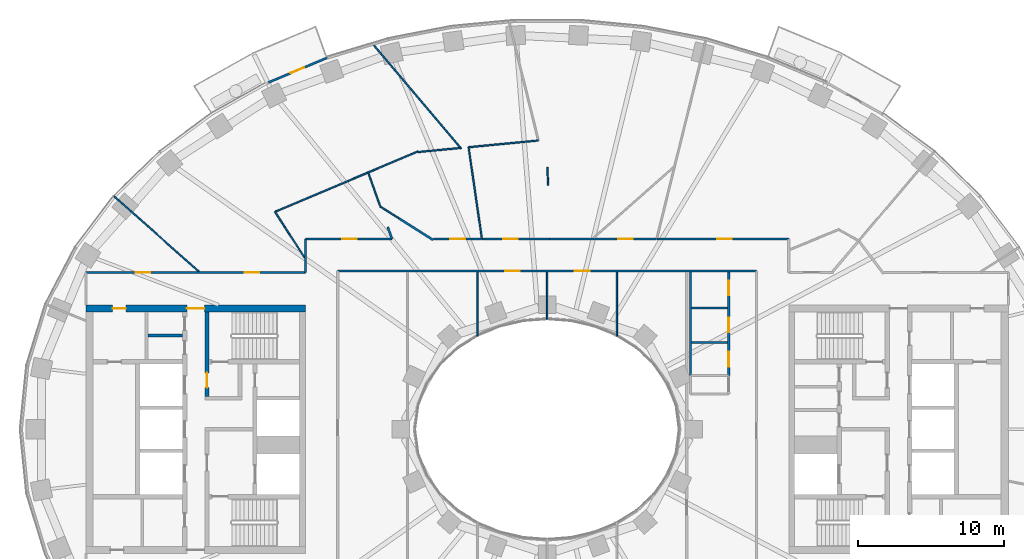
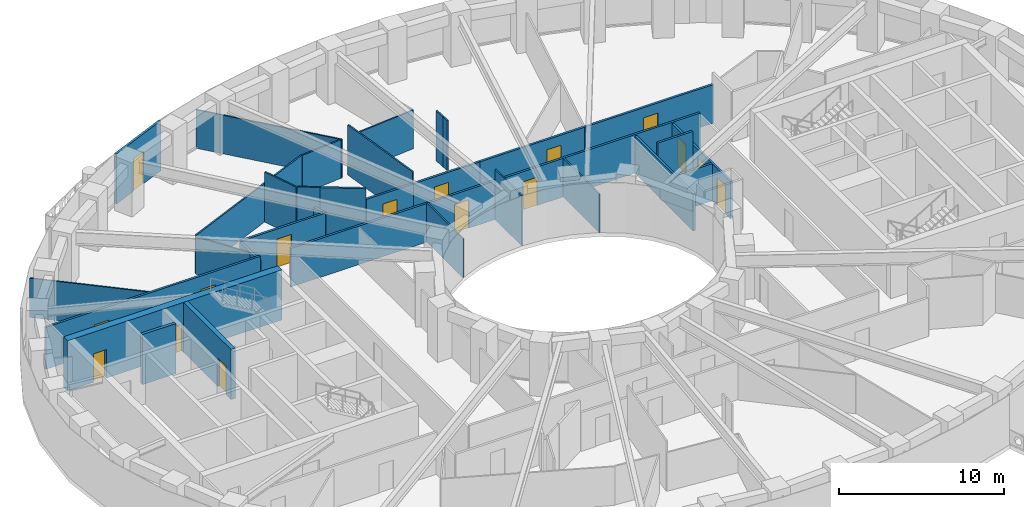
# One storey, part 6 of 15: 32 walls, 16 doors, 16 openings.
"""IFC4 building model written with IfcOpenShell, lengths in metres."""

from ifc_helpers import new_model, si_unit, direction, frame, frame_2d, origin, place, context, subcontext, project, spatial, rectangle, extrude, material, layer, layer_set, type_object, element, fill, save


model = new_model("IFC4")

# Units and contexts
model_context = context("Model", 3, precision=1e-05, world=origin(), true_north=direction((0.0, 1.0)))
body_context = subcontext(model_context, "Body", "Model", "MODEL_VIEW")
ifc_project = project(units=[si_unit("LENGTHUNIT", "METRE"), si_unit("AREAUNIT", "SQUARE_METRE"), si_unit("VOLUMEUNIT", "CUBIC_METRE"), si_unit("PLANEANGLEUNIT", "RADIAN"), si_unit("MASSUNIT", "GRAM", prefix="KILO")], contexts=[model_context])

# Site, building, storey
site_placement = place(None, origin())
site = spatial("IfcSite", under=ifc_project, at=site_placement, CompositionType="ELEMENT")
building_placement = place(site_placement, origin())
building = spatial("IfcBuilding", under=site, at=building_placement, Name="Noorbagh Ring Tower", CompositionType="ELEMENT")
storey_placement = place(building_placement, frame((0.0, 0.0, 92.0)))
storey = spatial("IfcBuildingStorey", under=building, at=storey_placement, Name="L20", CompositionType="ELEMENT", Elevation=92.0)

# Wall
ifc_material_1 = material(Name="Gypsum board on steel studs", Category="steel")
ifc_layer_1 = layer(ifc_material_1, 0.199951171875)
ifc_layer_set_1 = layer_set([ifc_layer_1], Name="Gypsum board on steel studs")
wall_type_1 = type_object("IfcWallType", Name="CORE-PARTITION-200", PredefinedType="PARTITIONING", material=ifc_layer_set_1)
wall_1_placement = place(storey_placement, frame((-24.89990234375, 6.39990234375, 0.0), z_axis=(0.0, 0.0, 1.0), x_axis=(-1.0, 0.0, 0.0)))
element("IfcWall", 1, at=wall_1_placement, inside=storey, type_object=wall_type_1, Name="Core partition W", PredefinedType="PARTITIONING", context=body_context, shape_type="SweptSolid", body=[
    extrude(rectangle(XDim=2.35009765625, YDim=0.199951171875, at=frame_2d((1.175048828125, 0.0))), origin(), (0.0, 0.0, 1.0), 3.699951171875),
])

# Wall, opening, door
ifc_material_2 = material(Name="Concrete C70/85", Category="concrete")
ifc_layer_2 = layer(ifc_material_2, 0.300048828125)
ifc_layer_set_2 = layer_set([ifc_layer_2], Name="Concrete C70/85")
wall_type_2 = type_object("IfcWallType", Name="CORE-WALL-300-C70-85-EI240", PredefinedType="SHEAR", material=ifc_layer_set_2)
wall_2_placement = place(storey_placement, frame((-23.22998046875, 2.25, 0.0), z_axis=(0.0, 0.0, 1.0), x_axis=(0.0, 1.0, 0.0)))
wall_2 = element("IfcWall", 2, at=wall_2_placement, inside=storey, type_object=wall_type_2, Name="Core wall W", PredefinedType="SHEAR", context=body_context, shape_type="SweptSolid", body=[
    extrude(rectangle(XDim=5.75, YDim=0.300048828125, at=frame_2d((2.875, 0.0))), origin(), (0.0, 0.0, 1.0), 3.699951171875),
])
opening_1_placement = place(wall_2_placement, frame((0.60009765625, 0.0, 0.0)))
opening_1 = element("IfcOpeningElement", 3, at=opening_1_placement, cuts=wall_2, Name="Opening L20-CW08", PredefinedType="OPENING", context=body_context, shape_type="SweptSolid", body=[
    extrude(rectangle(XDim=1.0, YDim=2.10009765625, at=frame_2d((0.5, 1.050048828125))), frame((0.0, 0.16015625, 0.0), z_axis=(0.0, -1.0, 0.0), x_axis=(1.0, 0.0, 0.0)), (0.0, 0.0, 1.0), 0.320068359375),
])
ifc_material_3 = material(Name="Steel door leaf", Category="steel")
door_type_1 = type_object("IfcDoorType", Name="CORE-DOOR-DVEST", OperationType="SINGLE_SWING_LEFT", PredefinedType="DOOR", material=ifc_material_3)
door_1_placement = place(opening_1_placement, origin())
door_1 = element("IfcDoor", 4, at=door_1_placement, inside=storey, type_object=door_type_1, Name="Stair vestibule door L20-CW08", OperationType="SINGLE_SWING_LEFT", OverallHeight=2.10009765625, OverallWidth=1.0, PredefinedType="DOOR", context=body_context, shape_type="SweptSolid", body=[
    extrude(rectangle(XDim=1.0, YDim=2.10009765625, at=frame_2d((0.5, 1.050048828125))), frame((0.0, 0.02490234375, 0.0), z_axis=(0.0, -1.0, 0.0), x_axis=(1.0, 0.0, 0.0)), (0.0, 0.0, 1.0), 0.050048828125),
])
fill(opening_1, door_1)

# Wall, openings, doors
ifc_material_4 = material(Name="Concrete C70/85", Category="concrete")
ifc_layer_3 = layer(ifc_material_4, 0.5)
ifc_layer_set_3 = layer_set([ifc_layer_3], Name="Concrete C70/85")
wall_type_3 = type_object("IfcWallType", Name="CORE-WALL-500-C70-85-EI240", PredefinedType="SHEAR", material=ifc_layer_set_3)
wall_3_placement = place(storey_placement, frame((-16.5, 8.25, 0.0), z_axis=(0.0, 0.0, 1.0), x_axis=(-1.0, 0.0, 0.0)))
wall_3 = element("IfcWall", 5, at=wall_3_placement, inside=storey, type_object=wall_type_3, Name="Core wall W", PredefinedType="SHEAR", context=body_context, shape_type="SweptSolid", body=[
    extrude(rectangle(XDim=15.0, YDim=0.5, at=frame_2d((7.5, 0.0))), origin(), (0.0, 0.0, 1.0), 3.699951171875),
])
opening_2_placement = place(wall_3_placement, frame((6.89990234375, 0.0, 0.0)))
opening_2 = element("IfcOpeningElement", 6, at=opening_2_placement, cuts=wall_3, Name="Opening L20-CW09", PredefinedType="OPENING", context=body_context, shape_type="SweptSolid", body=[
    extrude(rectangle(XDim=1.199951171875, YDim=2.10009765625, at=frame_2d((0.60009765625, 1.050048828125))), frame((0.0, 0.260009765625, 0.0), z_axis=(0.0, -1.0, 0.0), x_axis=(1.0, 0.0, 0.0)), (0.0, 0.0, 1.0), 0.52001953125),
])
opening_3_placement = place(wall_3_placement, frame((12.27490234375, 0.0, 0.0)))
opening_3 = element("IfcOpeningElement", 7, at=opening_3_placement, cuts=wall_3, Name="Opening L20-CW14", PredefinedType="OPENING", context=body_context, shape_type="SweptSolid", body=[
    extrude(rectangle(XDim=0.89990234375, YDim=2.10009765625, at=frame_2d((0.449951171875, 1.050048828125))), frame((0.0, 0.260009765625, 0.0), z_axis=(0.0, -1.0, 0.0), x_axis=(1.0, 0.0, 0.0)), (0.0, 0.0, 1.0), 0.52001953125),
])
ifc_material_5 = material(Name="Steel door leaf", Category="steel")
door_type_2 = type_object("IfcDoorType", Name="CORE-DOOR-DROOM", OperationType="SINGLE_SWING_LEFT", PredefinedType="DOOR", material=ifc_material_5)
door_2_placement = place(opening_3_placement, origin())
door_2 = element("IfcDoor", 8, at=door_2_placement, inside=storey, type_object=door_type_2, Name="Core room door L20-CW14", OperationType="SINGLE_SWING_RIGHT", OverallHeight=2.10009765625, OverallWidth=0.89990234375, PredefinedType="DOOR", context=body_context, shape_type="SweptSolid", body=[
    extrude(rectangle(XDim=0.89990234375, YDim=2.10009765625, at=frame_2d((0.449951171875, 1.050048828125))), frame((0.0, 0.02490234375, 0.0), z_axis=(0.0, -1.0, 0.0), x_axis=(1.0, 0.0, 0.0)), (0.0, 0.0, 1.0), 0.050048828125),
])
fill(opening_3, door_2)
ifc_material_6 = material(Name="Steel door leaf", Category="steel")
door_type_3 = type_object("IfcDoorType", Name="CORE-DOOR-PORT", OperationType="DOUBLE_DOOR_DOUBLE_SWING", PredefinedType="DOOR", material=ifc_material_6)
door_3_placement = place(opening_2_placement, origin())
door_3 = element("IfcDoor", 9, at=door_3_placement, inside=storey, type_object=door_type_3, Name="Core entrance door L20-CW09", OperationType="DOUBLE_DOOR_DOUBLE_SWING", OverallHeight=2.10009765625, OverallWidth=1.199951171875, PredefinedType="DOOR", context=body_context, shape_type="SweptSolid", body=[
    extrude(rectangle(XDim=1.199951171875, YDim=2.10009765625, at=frame_2d((0.60009765625, 1.050048828125))), frame((0.0, 0.02490234375, 0.0), z_axis=(0.0, -1.0, 0.0), x_axis=(1.0, 0.0, 0.0)), (0.0, 0.0, 1.0), 0.050048828125),
])
fill(opening_2, door_3)

ifc_material_7 = material(Name="Gypsum board on steel studs", Category="steel")
ifc_layer_4 = layer(ifc_material_7, 0.14990234375)
ifc_layer_set_4 = layer_set([ifc_layer_4], Name="Gypsum board on steel studs")
wall_type_4 = type_object("IfcWallType", Name="CORRIDOR PARTITION 150 EI 30", PredefinedType="PARTITIONING", material=ifc_layer_set_4)
wall_4_placement = place(storey_placement, frame((-31.5, 10.699951171875, 0.0), z_axis=(0.0, 0.0, 1.0), x_axis=(1.0, 0.0, 0.0)))
wall_4 = element("IfcWall", 10, at=wall_4_placement, inside=storey, type_object=wall_type_4, Name="L20/wall/P05", PredefinedType="PARTITIONING", context=body_context, shape_type="SweptSolid", body=[
    extrude(rectangle(XDim=15.0, YDim=0.14990234375, at=frame_2d((7.5, 0.0))), origin(), (0.0, 0.0, 1.0), 3.10009765625),
])
opening_4_placement = place(wall_4_placement, frame((3.403076171875, 0.0, 0.0)))
opening_4 = element("IfcOpeningElement", 11, at=opening_4_placement, cuts=wall_4, Name="Opening D1", PredefinedType="OPENING", context=body_context, shape_type="SweptSolid", body=[
    extrude(rectangle(XDim=1.0, YDim=2.10009765625, at=frame_2d((0.5, 1.050048828125))), frame((0.0, 0.0849609375, 0.0), z_axis=(0.0, -1.0, 0.0), x_axis=(1.0, 0.0, 0.0)), (0.0, 0.0, 1.0), 0.169921875),
])
opening_5_placement = place(wall_4_placement, frame((10.85009765625, 0.0, 0.0)))
opening_5 = element("IfcOpeningElement", 12, at=opening_5_placement, cuts=wall_4, Name="Opening D1", PredefinedType="OPENING", context=body_context, shape_type="SweptSolid", body=[
    extrude(rectangle(XDim=1.0, YDim=2.10009765625, at=frame_2d((0.5, 1.050048828125))), frame((0.0, 0.0849609375, 0.0), z_axis=(0.0, -1.0, 0.0), x_axis=(1.0, 0.0, 0.0)), (0.0, 0.0, 1.0), 0.169921875),
])
ifc_material_8 = material(Name="Timber, painted", Category="wood")
door_type_4 = type_object("IfcDoorType", Name="DOOR 1000 X 2100 FD30", OperationType="SINGLE_SWING_LEFT", PredefinedType="DOOR", material=ifc_material_8)
door_4_placement = place(opening_4_placement, origin())
door_4 = element("IfcDoor", 13, at=door_4_placement, inside=storey, type_object=door_type_4, Name="L20-D07", OperationType="SINGLE_SWING_LEFT", OverallHeight=2.10009765625, OverallWidth=1.0, PredefinedType="DOOR", context=body_context, shape_type="SweptSolid", body=[
    extrude(rectangle(XDim=1.0, YDim=2.10009765625, at=frame_2d((0.5, 1.050048828125))), frame((0.0, 0.02490234375, 0.0), z_axis=(0.0, -1.0, 0.0), x_axis=(1.0, 0.0, 0.0)), (0.0, 0.0, 1.0), 0.050048828125),
])
fill(opening_4, door_4)
door_5_placement = place(opening_5_placement, origin())
door_5 = element("IfcDoor", 14, at=door_5_placement, inside=storey, type_object=door_type_4, Name="L20-D09", OperationType="SINGLE_SWING_LEFT", OverallHeight=2.10009765625, OverallWidth=1.0, PredefinedType="DOOR", context=body_context, shape_type="SweptSolid", body=[
    extrude(rectangle(XDim=1.0, YDim=2.10009765625, at=frame_2d((0.5, 1.050048828125))), frame((0.0, 0.02490234375, 0.0), z_axis=(0.0, -1.0, 0.0), x_axis=(1.0, 0.0, 0.0)), (0.0, 0.0, 1.0), 0.050048828125),
])
fill(opening_5, door_5)

# Wall
wall_5_placement = place(storey_placement, frame((-16.5, 10.699951171875, 0.0), z_axis=(0.0, 0.0, 1.0), x_axis=(0.0, 1.0, 0.0)))
element("IfcWall", 15, at=wall_5_placement, inside=storey, type_object=wall_type_4, Name="L20/wall/P14", PredefinedType="PARTITIONING", context=body_context, shape_type="SweptSolid", body=[
    extrude(rectangle(XDim=2.300048828125, YDim=0.14990234375, at=frame_2d((1.14990234375, 0.0))), origin(), (0.0, 0.0, 1.0), 2.75),
])

# Wall, opening, door
wall_6_placement = place(storey_placement, frame((-16.5, 13.0, 0.0), z_axis=(0.0, 0.0, 1.0), x_axis=(1.0, 0.0, 0.0)))
wall_6 = element("IfcWall", 16, at=wall_6_placement, inside=storey, type_object=wall_type_4, Name="L20/wall/P15", PredefinedType="PARTITIONING", context=body_context, shape_type="SweptSolid", body=[
    extrude(rectangle(XDim=5.89306640625, YDim=0.14990234375, at=frame_2d((2.946533203125, 0.0))), origin(), (0.0, 0.0, 1.0), 2.85009765625),
])
opening_6_placement = place(wall_6_placement, frame((2.492919921875, 0.0, 0.0)))
opening_6 = element("IfcOpeningElement", 17, at=opening_6_placement, cuts=wall_6, Name="Opening D1", PredefinedType="OPENING", context=body_context, shape_type="SweptSolid", body=[
    extrude(rectangle(XDim=1.0, YDim=2.10009765625, at=frame_2d((0.5, 1.050048828125))), frame((0.0, 0.0849609375, 0.0), z_axis=(0.0, -1.0, 0.0), x_axis=(1.0, 0.0, 0.0)), (0.0, 0.0, 1.0), 0.169921875),
])
door_6_placement = place(opening_6_placement, origin())
door_6 = element("IfcDoor", 18, at=door_6_placement, inside=storey, type_object=door_type_4, Name="L20-D11", OperationType="SINGLE_SWING_LEFT", OverallHeight=2.10009765625, OverallWidth=1.0, PredefinedType="DOOR", context=body_context, shape_type="SweptSolid", body=[
    extrude(rectangle(XDim=1.0, YDim=2.10009765625, at=frame_2d((0.5, 1.050048828125))), frame((0.0, 0.02490234375, 0.0), z_axis=(0.0, -1.0, 0.0), x_axis=(1.0, 0.0, 0.0)), (0.0, 0.0, 1.0), 0.050048828125),
])
fill(opening_6, door_6)

# Wall, openings, doors
wall_7_placement = place(storey_placement, frame((-14.300048828125, 10.800048828125, 0.0), z_axis=(0.0, 0.0, 1.0), x_axis=(1.0, 0.0, 0.0)))
wall_7 = element("IfcWall", 19, at=wall_7_placement, inside=storey, type_object=wall_type_4, Name="L20/wall/P18", PredefinedType="PARTITIONING", context=body_context, shape_type="SweptSolid", body=[
    extrude(rectangle(XDim=28.60009765625, YDim=0.14990234375, at=frame_2d((14.300048828125, 0.0))), origin(), (0.0, 0.0, 1.0), 2.85009765625),
])
opening_7_placement = place(wall_7_placement, frame((11.43310546875, 0.0, 0.0)))
opening_7 = element("IfcOpeningElement", 20, at=opening_7_placement, cuts=wall_7, Name="Opening D1", PredefinedType="OPENING", context=body_context, shape_type="SweptSolid", body=[
    extrude(rectangle(XDim=1.0, YDim=2.10009765625, at=frame_2d((0.5, 1.050048828125))), frame((0.0, 0.0849609375, 0.0), z_axis=(0.0, -1.0, 0.0), x_axis=(1.0, 0.0, 0.0)), (0.0, 0.0, 1.0), 0.169921875),
])
opening_8_placement = place(wall_7_placement, frame((16.199951171875, 0.0, 0.0)))
opening_8 = element("IfcOpeningElement", 21, at=opening_8_placement, cuts=wall_7, Name="Opening D1", PredefinedType="OPENING", context=body_context, shape_type="SweptSolid", body=[
    extrude(rectangle(XDim=1.0, YDim=2.10009765625, at=frame_2d((0.5, 1.050048828125))), frame((0.0, 0.0849609375, 0.0), z_axis=(0.0, -1.0, 0.0), x_axis=(1.0, 0.0, 0.0)), (0.0, 0.0, 1.0), 0.169921875),
])
door_7_placement = place(opening_7_placement, origin())
door_7 = element("IfcDoor", 22, at=door_7_placement, inside=storey, type_object=door_type_4, Name="L20-D29", OperationType="SINGLE_SWING_LEFT", OverallHeight=2.10009765625, OverallWidth=1.0, PredefinedType="DOOR", context=body_context, shape_type="SweptSolid", body=[
    extrude(rectangle(XDim=1.0, YDim=2.10009765625, at=frame_2d((0.5, 1.050048828125))), frame((0.0, 0.02490234375, 0.0), z_axis=(0.0, -1.0, 0.0), x_axis=(1.0, 0.0, 0.0)), (0.0, 0.0, 1.0), 0.050048828125),
])
fill(opening_7, door_7)
door_8_placement = place(opening_8_placement, origin())
door_8 = element("IfcDoor", 23, at=door_8_placement, inside=storey, type_object=door_type_4, Name="L20-D31", OperationType="SINGLE_SWING_LEFT", OverallHeight=2.10009765625, OverallWidth=1.0, PredefinedType="DOOR", context=body_context, shape_type="SweptSolid", body=[
    extrude(rectangle(XDim=1.0, YDim=2.10009765625, at=frame_2d((0.5, 1.050048828125))), frame((0.0, 0.02490234375, 0.0), z_axis=(0.0, -1.0, 0.0), x_axis=(1.0, 0.0, 0.0)), (0.0, 0.0, 1.0), 0.050048828125),
])
fill(opening_8, door_8)

# Walls
wall_8_placement = place(storey_placement, frame((-10.886962890625, 13.81201171875, 0.0), z_axis=(0.0, 0.0, 1.0), x_axis=(0.338378813476, -0.941009977944, 0.0)))
element("IfcWall", 24, at=wall_8_placement, inside=storey, type_object=wall_type_4, Name="L20/wall/P26", PredefinedType="PARTITIONING", context=body_context, shape_type="SweptSolid", body=[
    extrude(rectangle(XDim=0.863037109375, YDim=0.14990234375, at=frame_2d((0.431640625, 0.0))), origin(), (0.0, 0.0, 1.0), 2.85009765625),
])
wall_9_placement = place(storey_placement, frame((-10.136962890625, 14.4130859375, 0.0), z_axis=(0.0, 0.0, 1.0), x_axis=(0.844666662568, -0.535292657475, 0.0)))
element("IfcWall", 25, at=wall_9_placement, inside=storey, type_object=wall_type_4, Name="L20/wall/P28", PredefinedType="PARTITIONING", context=body_context, shape_type="SweptSolid", body=[
    extrude(rectangle(XDim=2.776123046875, YDim=0.14990234375, at=frame_2d((1.38818359375, 0.0))), origin(), (0.0, 0.0, 1.0), 3.699951171875),
])

# Wall, opening, door
wall_10_placement = place(storey_placement, frame((-7.76708984375, 13.0, 0.0), z_axis=(0.0, 0.0, 1.0), x_axis=(1.0, 0.0, 0.0)))
wall_10 = element("IfcWall", 26, at=wall_10_placement, inside=storey, type_object=wall_type_4, Name="L20/wall/P33", PredefinedType="PARTITIONING", context=body_context, shape_type="SweptSolid", body=[
    extrude(rectangle(XDim=3.2880859375, YDim=0.14990234375, at=frame_2d((1.64404296875, 0.0))), origin(), (0.0, 0.0, 1.0), 2.85009765625),
])
opening_9_placement = place(wall_10_placement, frame((1.157958984375, 0.0, 0.0)))
opening_9 = element("IfcOpeningElement", 27, at=opening_9_placement, cuts=wall_10, Name="Opening D1", PredefinedType="OPENING", context=body_context, shape_type="SweptSolid", body=[
    extrude(rectangle(XDim=1.0, YDim=2.10009765625, at=frame_2d((0.5, 1.050048828125))), frame((0.0, 0.0849609375, 0.0), z_axis=(0.0, -1.0, 0.0), x_axis=(1.0, 0.0, 0.0)), (0.0, 0.0, 1.0), 0.169921875),
])
door_9_placement = place(opening_9_placement, origin())
door_9 = element("IfcDoor", 28, at=door_9_placement, inside=storey, type_object=door_type_4, Name="L20-D13", OperationType="SINGLE_SWING_LEFT", OverallHeight=2.10009765625, OverallWidth=1.0, PredefinedType="DOOR", context=body_context, shape_type="SweptSolid", body=[
    extrude(rectangle(XDim=1.0, YDim=2.10009765625, at=frame_2d((0.5, 1.050048828125))), frame((0.0, 0.02490234375, 0.0), z_axis=(0.0, -1.0, 0.0), x_axis=(1.0, 0.0, 0.0)), (0.0, 0.0, 1.0), 0.050048828125),
])
fill(opening_9, door_9)

wall_11_placement = place(storey_placement, frame((-4.458984375, 13.0, 0.0), z_axis=(0.0, 0.0, 1.0), x_axis=(1.0, 0.0, 0.0)))
wall_11 = element("IfcWall", 29, at=wall_11_placement, inside=storey, type_object=wall_type_4, Name="L20/wall/P41", PredefinedType="PARTITIONING", context=body_context, shape_type="SweptSolid", body=[
    extrude(rectangle(XDim=4.6279296875, YDim=0.14990234375, at=frame_2d((2.31396484375, 0.0))), origin(), (0.0, 0.0, 1.0), 2.85009765625),
])
opening_10_placement = place(wall_11_placement, frame((1.447021484375, 0.0, 0.0)))
opening_10 = element("IfcOpeningElement", 30, at=opening_10_placement, cuts=wall_11, Name="Opening D1", PredefinedType="OPENING", context=body_context, shape_type="SweptSolid", body=[
    extrude(rectangle(XDim=1.0, YDim=2.10009765625, at=frame_2d((0.5, 1.050048828125))), frame((0.0, 0.0849609375, 0.0), z_axis=(0.0, -1.0, 0.0), x_axis=(1.0, 0.0, 0.0)), (0.0, 0.0, 1.0), 0.169921875),
])
door_10_placement = place(opening_10_placement, origin())
door_10 = element("IfcDoor", 31, at=door_10_placement, inside=storey, type_object=door_type_4, Name="L20-D15", OperationType="SINGLE_SWING_LEFT", OverallHeight=2.10009765625, OverallWidth=1.0, PredefinedType="DOOR", context=body_context, shape_type="SweptSolid", body=[
    extrude(rectangle(XDim=1.0, YDim=2.10009765625, at=frame_2d((0.5, 1.050048828125))), frame((0.0, 0.02490234375, 0.0), z_axis=(0.0, -1.0, 0.0), x_axis=(1.0, 0.0, 0.0)), (0.0, 0.0, 1.0), 0.050048828125),
])
fill(opening_10, door_10)

wall_12_placement = place(storey_placement, frame((0.1630859375, 13.0, 0.0), z_axis=(0.0, 0.0, 1.0), x_axis=(1.0, 0.0, 0.0)))
wall_12 = element("IfcWall", 32, at=wall_12_placement, inside=storey, type_object=wall_type_4, Name="L20/wall/P51", PredefinedType="PARTITIONING", context=body_context, shape_type="SweptSolid", body=[
    extrude(rectangle(XDim=7.31982421875, YDim=0.14990234375, at=frame_2d((3.659912109375, 0.0))), origin(), (0.0, 0.0, 1.0), 2.85009765625),
])
opening_11_placement = place(wall_12_placement, frame((4.68603515625, 0.0, 0.0)))
opening_11 = element("IfcOpeningElement", 33, at=opening_11_placement, cuts=wall_12, Name="Opening D1", PredefinedType="OPENING", context=body_context, shape_type="SweptSolid", body=[
    extrude(rectangle(XDim=1.0, YDim=2.10009765625, at=frame_2d((0.5, 1.050048828125))), frame((0.0, 0.0849609375, 0.0), z_axis=(0.0, -1.0, 0.0), x_axis=(1.0, 0.0, 0.0)), (0.0, 0.0, 1.0), 0.169921875),
])
door_11_placement = place(opening_11_placement, origin())
door_11 = element("IfcDoor", 34, at=door_11_placement, inside=storey, type_object=door_type_4, Name="L20-D17", OperationType="SINGLE_SWING_LEFT", OverallHeight=2.10009765625, OverallWidth=1.0, PredefinedType="DOOR", context=body_context, shape_type="SweptSolid", body=[
    extrude(rectangle(XDim=1.0, YDim=2.10009765625, at=frame_2d((0.5, 1.050048828125))), frame((0.0, 0.02490234375, 0.0), z_axis=(0.0, -1.0, 0.0), x_axis=(1.0, 0.0, 0.0)), (0.0, 0.0, 1.0), 0.050048828125),
])
fill(opening_11, door_11)

wall_13_placement = place(storey_placement, frame((7.4990234375, 13.0, 0.0), z_axis=(0.0, 0.0, 1.0), x_axis=(1.0, 0.0, 0.0)))
wall_13 = element("IfcWall", 35, at=wall_13_placement, inside=storey, type_object=wall_type_4, Name="L20/wall/P59", PredefinedType="PARTITIONING", context=body_context, shape_type="SweptSolid", body=[
    extrude(rectangle(XDim=9.0009765625, YDim=0.14990234375, at=frame_2d((4.50048828125, 0.0))), origin(), (0.0, 0.0, 1.0), 2.85009765625),
])
opening_12_placement = place(wall_13_placement, frame((4.10107421875, 0.0, 0.0)))
opening_12 = element("IfcOpeningElement", 36, at=opening_12_placement, cuts=wall_13, Name="Opening D1", PredefinedType="OPENING", context=body_context, shape_type="SweptSolid", body=[
    extrude(rectangle(XDim=1.0, YDim=2.10009765625, at=frame_2d((0.5, 1.050048828125))), frame((0.0, 0.0849609375, 0.0), z_axis=(0.0, -1.0, 0.0), x_axis=(1.0, 0.0, 0.0)), (0.0, 0.0, 1.0), 0.169921875),
])
door_12_placement = place(opening_12_placement, origin())
door_12 = element("IfcDoor", 37, at=door_12_placement, inside=storey, type_object=door_type_4, Name="L20-D19", OperationType="SINGLE_SWING_LEFT", OverallHeight=2.10009765625, OverallWidth=1.0, PredefinedType="DOOR", context=body_context, shape_type="SweptSolid", body=[
    extrude(rectangle(XDim=1.0, YDim=2.10009765625, at=frame_2d((0.5, 1.050048828125))), frame((0.0, 0.02490234375, 0.0), z_axis=(0.0, -1.0, 0.0), x_axis=(1.0, 0.0, 0.0)), (0.0, 0.0, 1.0), 0.050048828125),
])
fill(opening_12, door_12)

# Walls
wall_14_placement = place(storey_placement, frame((9.800048828125, 3.659912109375, 0.0), z_axis=(0.0, 0.0, 1.0), x_axis=(0.0, 1.0, 0.0)))
element("IfcWall", 38, at=wall_14_placement, inside=storey, type_object=wall_type_4, Name="L20/wall/P62", PredefinedType="PARTITIONING", context=body_context, shape_type="SweptSolid", body=[
    extrude(rectangle(XDim=7.065185546875, YDim=0.14990234375, at=frame_2d((3.53271484375, 0.0))), origin(), (0.0, 0.0, 1.0), 2.75),
])
wall_15_placement = place(storey_placement, frame((9.875, 5.927978515625, 0.0), z_axis=(0.0, 0.0, 1.0), x_axis=(1.0, 0.0, 0.0)))
element("IfcWall", 39, at=wall_15_placement, inside=storey, type_object=wall_type_4, Name="L20/wall/P64", PredefinedType="PARTITIONING", context=body_context, shape_type="SweptSolid", body=[
    extrude(rectangle(XDim=2.449951171875, YDim=0.14990234375, at=frame_2d((1.22509765625, 0.0))), origin(), (0.0, 0.0, 1.0), 2.75),
])
wall_16_placement = place(storey_placement, frame((9.875, 8.280029296875, 0.0), z_axis=(0.0, 0.0, 1.0), x_axis=(1.0, 0.0, 0.0)))
element("IfcWall", 40, at=wall_16_placement, inside=storey, type_object=wall_type_4, Name="L20/wall/P65", PredefinedType="PARTITIONING", context=body_context, shape_type="SweptSolid", body=[
    extrude(rectangle(XDim=2.449951171875, YDim=0.14990234375, at=frame_2d((1.22509765625, 0.0))), origin(), (0.0, 0.0, 1.0), 3.699951171875),
])

# Wall, openings, doors
wall_17_placement = place(storey_placement, frame((12.39990234375, 3.659912109375, 0.0), z_axis=(0.0, 0.0, 1.0), x_axis=(0.0, 1.0, 0.0)))
wall_17 = element("IfcWall", 41, at=wall_17_placement, inside=storey, type_object=wall_type_4, Name="L20/wall/P68", PredefinedType="PARTITIONING", context=body_context, shape_type="SweptSolid", body=[
    extrude(rectangle(XDim=7.065185546875, YDim=0.14990234375, at=frame_2d((3.53271484375, 0.0))), origin(), (0.0, 0.0, 1.0), 2.75),
])
opening_13_placement = place(wall_17_placement, frame((5.489990234375, 0.0, 0.0)))
opening_13 = element("IfcOpeningElement", 42, at=opening_13_placement, cuts=wall_17, Name="Opening D3", PredefinedType="OPENING", context=body_context, shape_type="SweptSolid", body=[
    extrude(rectangle(XDim=1.0, YDim=2.10009765625, at=frame_2d((0.5, 1.050048828125))), frame((0.0, 0.0849609375, 0.0), z_axis=(0.0, -1.0, 0.0), x_axis=(1.0, 0.0, 0.0)), (0.0, 0.0, 1.0), 0.169921875),
])
opening_14_placement = place(wall_17_placement, frame((2.969970703125, 0.0, 0.0)))
opening_14 = element("IfcOpeningElement", 43, at=opening_14_placement, cuts=wall_17, Name="Opening D3", PredefinedType="OPENING", context=body_context, shape_type="SweptSolid", body=[
    extrude(rectangle(XDim=1.0, YDim=2.10009765625, at=frame_2d((0.5, 1.050048828125))), frame((0.0, 0.0849609375, 0.0), z_axis=(0.0, -1.0, 0.0), x_axis=(1.0, 0.0, 0.0)), (0.0, 0.0, 1.0), 0.169921875),
])
opening_15_placement = place(wall_17_placement, frame((0.617919921875, 0.0, 0.0)))
opening_15 = element("IfcOpeningElement", 44, at=opening_15_placement, cuts=wall_17, Name="Opening D3", PredefinedType="OPENING", context=body_context, shape_type="SweptSolid", body=[
    extrude(rectangle(XDim=1.0, YDim=2.10009765625, at=frame_2d((0.5, 1.050048828125))), frame((0.0, 0.0849609375, 0.0), z_axis=(0.0, -1.0, 0.0), x_axis=(1.0, 0.0, 0.0)), (0.0, 0.0, 1.0), 0.169921875),
])
ifc_material_9 = material(Name="Timber, painted", Category="wood")
door_type_5 = type_object("IfcDoorType", Name="DOOR 1000 X 2100 WC", OperationType="SINGLE_SWING_LEFT", PredefinedType="DOOR", material=ifc_material_9)
door_13_placement = place(opening_13_placement, origin())
door_13 = element("IfcDoor", 45, at=door_13_placement, inside=storey, type_object=door_type_5, Name="L20-D02", OperationType="SINGLE_SWING_RIGHT", OverallHeight=2.10009765625, OverallWidth=1.0, PredefinedType="DOOR", context=body_context, shape_type="SweptSolid", body=[
    extrude(rectangle(XDim=1.0, YDim=2.10009765625, at=frame_2d((0.5, 1.050048828125))), frame((0.0, 0.02490234375, 0.0), z_axis=(0.0, -1.0, 0.0), x_axis=(1.0, 0.0, 0.0)), (0.0, 0.0, 1.0), 0.050048828125),
])
fill(opening_13, door_13)
door_14_placement = place(opening_14_placement, origin())
door_14 = element("IfcDoor", 46, at=door_14_placement, inside=storey, type_object=door_type_5, Name="L20-D03", OperationType="SINGLE_SWING_LEFT", OverallHeight=2.10009765625, OverallWidth=1.0, PredefinedType="DOOR", context=body_context, shape_type="SweptSolid", body=[
    extrude(rectangle(XDim=1.0, YDim=2.10009765625, at=frame_2d((0.5, 1.050048828125))), frame((0.0, 0.02490234375, 0.0), z_axis=(0.0, -1.0, 0.0), x_axis=(1.0, 0.0, 0.0)), (0.0, 0.0, 1.0), 0.050048828125),
])
fill(opening_14, door_14)
door_15_placement = place(opening_15_placement, origin())
door_15 = element("IfcDoor", 47, at=door_15_placement, inside=storey, type_object=door_type_5, Name="L20-D04", OperationType="SINGLE_SWING_RIGHT", OverallHeight=2.10009765625, OverallWidth=1.0, PredefinedType="DOOR", context=body_context, shape_type="SweptSolid", body=[
    extrude(rectangle(XDim=1.0, YDim=2.10009765625, at=frame_2d((0.5, 1.050048828125))), frame((0.0, 0.02490234375, 0.0), z_axis=(0.0, -1.0, 0.0), x_axis=(1.0, 0.0, 0.0)), (0.0, 0.0, 1.0), 0.050048828125),
])
fill(opening_15, door_15)

# Wall, opening, door
ifc_material_10 = material(Name="Insulated aluminium clad panel", Category="aluminium")
ifc_layer_5 = layer(ifc_material_10, 0.14990234375)
ifc_layer_set_5 = layer_set([ifc_layer_5], Name="Insulated aluminium clad panel")
wall_type_5 = type_object("IfcWallType", Name="ENV-WALL-DOOR", PredefinedType="STANDARD", material=ifc_layer_set_5)
wall_18_placement = place(storey_placement, frame((-15.017822265625, 25.368896484375, 0.0), z_axis=(0.0, 0.0, 1.0), x_axis=(-0.921816985161, -0.387625393736, 0.0)))
wall_18 = element("IfcWall", 48, at=wall_18_placement, inside=storey, type_object=wall_type_5, Name="Balcony door wall chord 16", PredefinedType="STANDARD", context=body_context, shape_type="SweptSolid", body=[
    extrude(rectangle(XDim=4.42578125, YDim=0.14990234375, at=frame_2d((2.212890625, 0.0))), origin(), (0.0, 0.0, 1.0), 3.699951171875),
])
opening_16_placement = place(wall_18_placement, frame((1.712890625, 0.0, 0.0)))
opening_16 = element("IfcOpeningElement", 49, at=opening_16_placement, cuts=wall_18, Name="Opening D-BL", PredefinedType="OPENING", context=body_context, shape_type="SweptSolid", body=[
    extrude(rectangle(XDim=1.0, YDim=2.39990234375, at=frame_2d((0.5, 1.199951171875))), frame((0.0, 0.0849609375, 0.0), z_axis=(0.0, -1.0, 0.0), x_axis=(1.0, 0.0, 0.0)), (0.0, 0.0, 1.0), 0.169921875),
])
ifc_material_11 = material(Name="Aluminium and glass", Category="aluminium")
door_type_6 = type_object("IfcDoorType", Name="ENV-DOOR-BALCONY", OperationType="SINGLE_SWING_LEFT", PredefinedType="DOOR", material=ifc_material_11)
door_16_placement = place(opening_16_placement, origin())
door_16 = element("IfcDoor", 50, at=door_16_placement, inside=storey, type_object=door_type_6, Name="Balcony door chord 16", OperationType="SINGLE_SWING_LEFT", OverallHeight=2.39990234375, OverallWidth=1.0, PredefinedType="DOOR", context=body_context, shape_type="SweptSolid", body=[
    extrude(rectangle(XDim=1.0, YDim=2.39990234375, at=frame_2d((0.5, 1.199951171875))), frame((0.0, 0.02490234375, 0.0), z_axis=(0.0, -1.0, 0.0), x_axis=(1.0, 0.0, 0.0)), (0.0, 0.0, 1.0), 0.050048828125),
])
fill(opening_16, door_16)

# Walls
ifc_material_12 = material(Name="Gypsum board on steel studs", Category="steel")
ifc_layer_6 = layer(ifc_material_12, 0.10009765625)
ifc_layer_set_6 = layer_set([ifc_layer_6], Name="Gypsum board on steel studs")
wall_type_6 = type_object("IfcWallType", Name="PARTITION 100 GYPSUM", PredefinedType="PARTITIONING", material=ifc_layer_set_6)
wall_19_placement = place(storey_placement, frame((-29.569091796875, 15.89501953125, 0.0), z_axis=(0.0, 0.0, 1.0), x_axis=(0.748985701008, -0.662586160198, 0.0)))
element("IfcWall", 51, at=wall_19_placement, inside=storey, type_object=wall_type_6, Name="L20/wall/P07", PredefinedType="PARTITIONING", context=body_context, shape_type="SweptSolid", body=[
    extrude(rectangle(XDim=7.72265625, YDim=0.10009765625, at=frame_2d((3.861328125, 0.0))), origin(), (0.0, 0.0, 1.0), 2.89990234375),
])
wall_20_placement = place(storey_placement, frame((-18.5859375, 14.84912109375, 0.0), z_axis=(0.0, 0.0, 1.0), x_axis=(0.542227325377, -0.840231829684, 0.0)))
element("IfcWall", 52, at=wall_20_placement, inside=storey, type_object=wall_type_6, Name="L20/wall/P10", PredefinedType="PARTITIONING", context=body_context, shape_type="SweptSolid", body=[
    extrude(rectangle(XDim=3.708740234375, YDim=0.10009765625, at=frame_2d((1.8544921875, 0.0))), origin(), (0.0, 0.0, 1.0), 2.75),
])
wall_21_placement = place(storey_placement, frame((-18.5859375, 14.84912109375, 0.0), z_axis=(0.0, 0.0, 1.0), x_axis=(0.921309292198, 0.388830539066, 0.0)))
element("IfcWall", 53, at=wall_21_placement, inside=storey, type_object=wall_type_6, Name="L20/wall/P11", PredefinedType="PARTITIONING", context=body_context, shape_type="SweptSolid", body=[
    extrude(rectangle(XDim=10.608642578125, YDim=0.10009765625, at=frame_2d((5.30419921875, 0.0))), origin(), (0.0, 0.0, 1.0), 2.85009765625),
])
wall_22_placement = place(storey_placement, frame((-12.208984375, 17.486083984375, 0.0), z_axis=(0.0, 0.0, 1.0), x_axis=(0.338698771758, -0.940894862357, 0.0)))
element("IfcWall", 54, at=wall_22_placement, inside=storey, type_object=wall_type_6, Name="L20/wall/P20", PredefinedType="PARTITIONING", context=body_context, shape_type="SweptSolid", body=[
    extrude(rectangle(XDim=2.50634765625, YDim=0.10009765625, at=frame_2d((1.253173828125, 0.0))), origin(), (0.0, 0.0, 1.0), 3.699951171875),
])
wall_23_placement = place(storey_placement, frame((-11.925048828125, 26.322998046875, 0.0), z_axis=(0.0, 0.0, 1.0), x_axis=(0.646476265577, -0.762934098101, 0.0)))
element("IfcWall", 55, at=wall_23_placement, inside=storey, type_object=wall_type_6, Name="L20/wall/P22", PredefinedType="PARTITIONING", context=body_context, shape_type="SweptSolid", body=[
    extrude(rectangle(XDim=9.383544921875, YDim=0.10009765625, at=frame_2d((4.69189453125, 0.0))), origin(), (0.0, 0.0, 1.0), 2.85009765625),
])
wall_24_placement = place(storey_placement, frame((-11.319091796875, 15.160888671875, 0.0), z_axis=(0.0, 0.0, 1.0), x_axis=(0.845102975348, -0.534603555037, 0.0)))
element("IfcWall", 56, at=wall_24_placement, inside=storey, type_object=wall_type_6, Name="L20/wall/P24", PredefinedType="PARTITIONING", context=body_context, shape_type="SweptSolid", body=[
    extrude(rectangle(XDim=1.398681640625, YDim=0.10009765625, at=frame_2d((0.69921875, 0.0))), origin(), (0.0, 0.0, 1.0), 3.699951171875),
])
wall_25_placement = place(storey_placement, frame((-8.802001953125, 18.931884765625, 0.0), z_axis=(0.0, 0.0, 1.0), x_axis=(0.995447320833, 0.095313332995, 0.0)))
element("IfcWall", 57, at=wall_25_placement, inside=storey, type_object=wall_type_6, Name="L20/wall/P31", PredefinedType="PARTITIONING", context=body_context, shape_type="SweptSolid", body=[
    extrude(rectangle(XDim=2.85595703125, YDim=0.10009765625, at=frame_2d((1.427978515625, 0.0))), origin(), (0.0, 0.0, 1.0), 2.85009765625),
])
wall_26_placement = place(storey_placement, frame((-5.364013671875, 19.260986328125, 0.0), z_axis=(0.0, 0.0, 1.0), x_axis=(0.143605013025, -0.989635084379, 0.0)))
element("IfcWall", 58, at=wall_26_placement, inside=storey, type_object=wall_type_6, Name="L20/wall/P36", PredefinedType="PARTITIONING", context=body_context, shape_type="SweptSolid", body=[
    extrude(rectangle(XDim=6.322509765625, YDim=0.10009765625, at=frame_2d((3.1611328125, 0.0))), origin(), (0.0, 0.0, 1.0), 3.699951171875),
])
wall_27_placement = place(storey_placement, frame((-5.364013671875, 19.260986328125, 0.0), z_axis=(0.0, 0.0, 1.0), x_axis=(0.995450891917, 0.095276029415, 0.0)))
element("IfcWall", 59, at=wall_27_placement, inside=storey, type_object=wall_type_6, Name="L20/wall/P37", PredefinedType="PARTITIONING", context=body_context, shape_type="SweptSolid", body=[
    extrude(rectangle(XDim=4.78662109375, YDim=0.10009765625, at=frame_2d((2.393310546875, 0.0))), origin(), (0.0, 0.0, 1.0), 2.85009765625),
])
wall_28_placement = place(storey_placement, frame((-4.76708984375, 6.363037109375, 0.0), z_axis=(0.0, 0.0, 1.0), x_axis=(0.0, 1.0, 0.0)))
element("IfcWall", 60, at=wall_28_placement, inside=storey, type_object=wall_type_6, Name="L20/wall/P39", PredefinedType="PARTITIONING", context=body_context, shape_type="SweptSolid", body=[
    extrude(rectangle(XDim=4.362060546875, YDim=0.10009765625, at=frame_2d((2.18115234375, 0.0))), origin(), (0.0, 0.0, 1.0), 2.89990234375),
])
wall_29_placement = place(storey_placement, frame((0.0, 7.50390625, 0.0), z_axis=(0.0, 0.0, 1.0), x_axis=(0.0, 1.0, 0.0)))
element("IfcWall", 61, at=wall_29_placement, inside=storey, type_object=wall_type_6, Name="L20/wall/P45", PredefinedType="PARTITIONING", context=body_context, shape_type="SweptSolid", body=[
    extrude(rectangle(XDim=3.22119140625, YDim=0.10009765625, at=frame_2d((1.610595703125, 0.0))), origin(), (0.0, 0.0, 1.0), 3.699951171875),
])
wall_30_placement = place(storey_placement, frame((0.010986328125, 17.89306640625, 0.0), z_axis=(0.0, 0.0, 1.0), x_axis=(0.047210979752, -0.998884940016, 0.0)))
element("IfcWall", 62, at=wall_30_placement, inside=storey, type_object=wall_type_6, Name="L20/wall/P47", PredefinedType="PARTITIONING", context=body_context, shape_type="SweptSolid", body=[
    extrude(rectangle(XDim=0.7861328125, YDim=0.10009765625, at=frame_2d((0.39306640625, 0.0))), origin(), (0.0, 0.0, 1.0), 3.699951171875),
])
wall_31_placement = place(storey_placement, frame((0.049072265625, 17.0810546875, 0.0), z_axis=(0.0, 0.0, 1.0), x_axis=(0.047263912187, -0.998882436829, 0.0)))
element("IfcWall", 63, at=wall_31_placement, inside=storey, type_object=wall_type_6, Name="L20/wall/P49", PredefinedType="PARTITIONING", context=body_context, shape_type="SweptSolid", body=[
    extrude(rectangle(XDim=0.423583984375, YDim=0.10009765625, at=frame_2d((0.2119140625, 0.0))), origin(), (0.0, 0.0, 1.0), 3.699951171875),
])
wall_32_placement = place(storey_placement, frame((4.76708984375, 6.363037109375, 0.0), z_axis=(0.0, 0.0, 1.0), x_axis=(0.0, 1.0, 0.0)))
element("IfcWall", 64, at=wall_32_placement, inside=storey, type_object=wall_type_6, Name="L20/wall/P55", PredefinedType="PARTITIONING", context=body_context, shape_type="SweptSolid", body=[
    extrude(rectangle(XDim=4.362060546875, YDim=0.10009765625, at=frame_2d((2.18115234375, 0.0))), origin(), (0.0, 0.0, 1.0), 2.85009765625),
])

save(model, "model.ifc")
